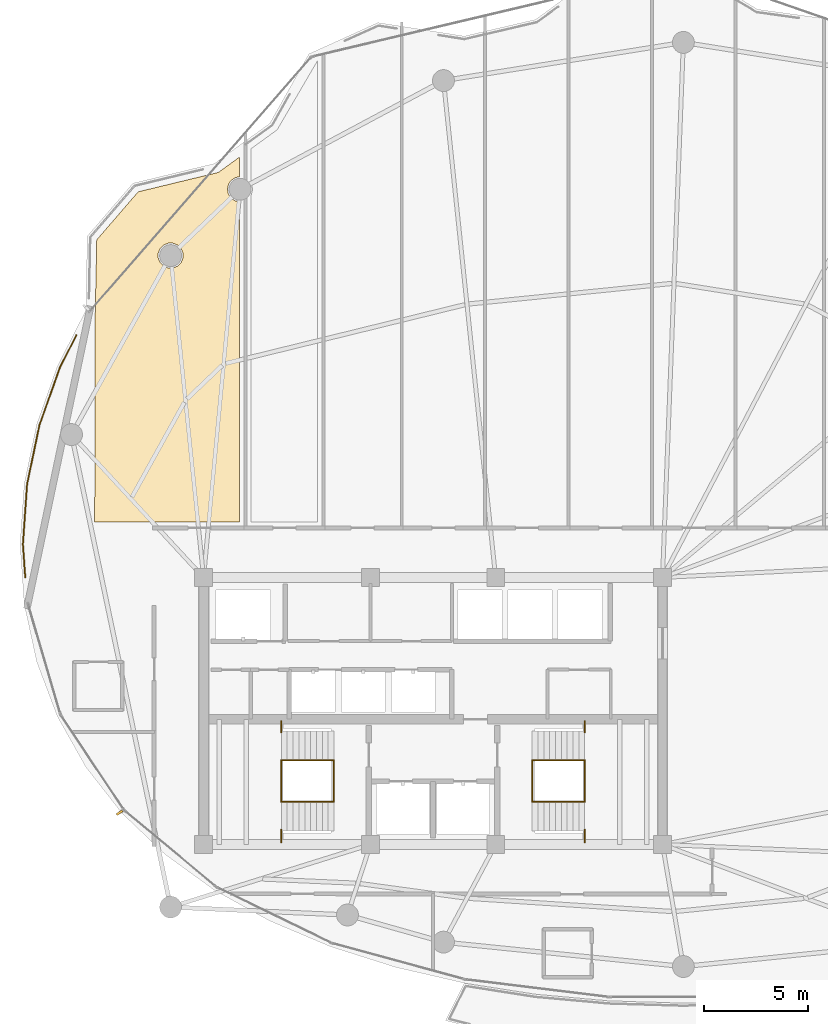
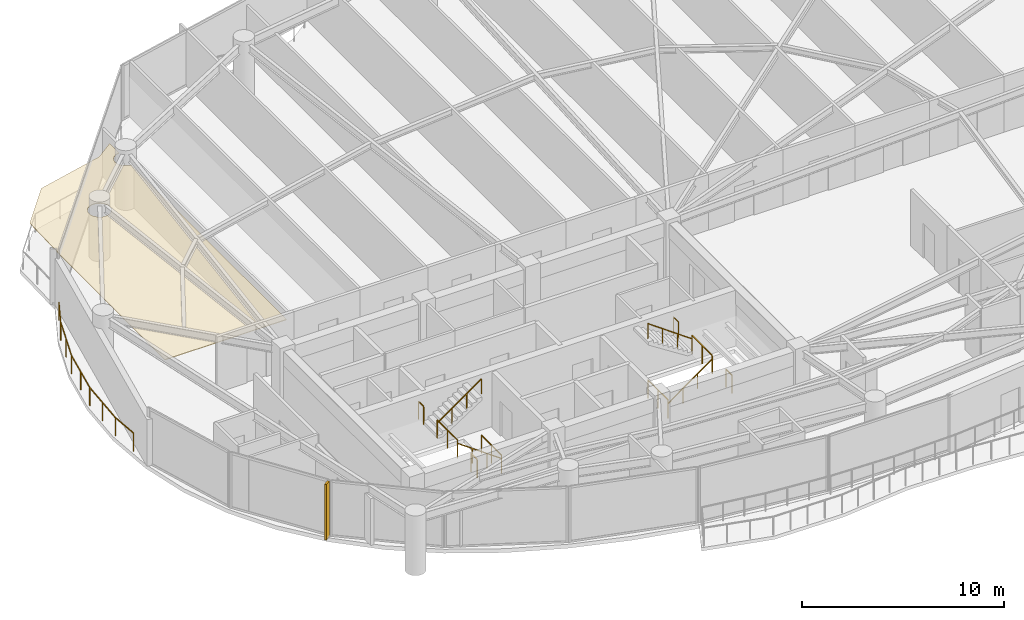
# One storey, part 27 of 29: 13 railings, 1 covering, 1 shading device.
"""IFC4 building model written with IfcOpenShell, lengths in metres."""

from ifc_helpers import new_model, si_unit, direction, frame, origin, origin_2d, place, context, subcontext, project, spatial, polyline, rectangle, outline, extrude, material, layer, layer_set, type_object, element, save


model = new_model("IFC4")

# Units and contexts
model_context = context("Model", 3, precision=1e-05, world=origin(), true_north=direction((0.0, 1.0)))
body_context = subcontext(model_context, "Body", "Model", "MODEL_VIEW")
ifc_project = project(units=[si_unit("LENGTHUNIT", "METRE"), si_unit("AREAUNIT", "SQUARE_METRE"), si_unit("VOLUMEUNIT", "CUBIC_METRE"), si_unit("PLANEANGLEUNIT", "RADIAN"), si_unit("MASSUNIT", "GRAM", prefix="KILO")], contexts=[model_context])

# Site, building, storey
site_placement = place(None, origin())
site = spatial("IfcSite", under=ifc_project, at=site_placement, CompositionType="ELEMENT")
building_placement = place(site_placement, origin())
building = spatial("IfcBuilding", under=site, at=building_placement, Name="Kazevale Care Tower and Concert Hall", CompositionType="ELEMENT")
storey_placement = place(building_placement, frame((0.0, 0.0, 195.60009765625)))
storey = spatial("IfcBuildingStorey", under=building, at=storey_placement, Name="L51", CompositionType="ELEMENT", Elevation=195.60009765625)

# Covering
ifc_material_1 = material(Name="Acoustic Plaster and Hinoki Wood", Category="wood")
ifc_layer = layer(ifc_material_1, 0.0400390625)
ifc_layer_set = layer_set([ifc_layer], Name="Acoustic Plaster and Hinoki Wood")
covering_type = type_object("IfcCoveringType", Name="Acoustic Perforated Wood-Gypsum Ceiling", PredefinedType="CEILING", material=ifc_layer_set)
covering_placement = place(storey_placement, frame((0.0, 0.0, 2.7099609375)))
element("IfcCovering", 1, at=covering_placement, inside=storey, type_object=covering_type, Name="clg:L51:1", PredefinedType="CEILING", context=body_context, shape_type="SweptSolid", body=[
    extrude(outline(polyline([(16.806884765625, 49.0791015625), (16.8798828125, 52.589111328125), (18.864990234375, 54.888916015625), (22.7099609375, 55.818115234375), (23.719970703125, 56.550048828125), (23.719970703125, 55.612060546875), (23.51806640625, 55.569091796875), (23.322021484375, 55.43798828125), (23.19091796875, 55.241943359375), (23.14501953125, 55.010009765625), (23.19091796875, 54.778076171875), (23.322021484375, 54.58203125), (23.51806640625, 54.450927734375), (23.719970703125, 54.407958984375), (23.719970703125, 39.054931640625), (16.780029296875, 39.054931640625), (16.806884765625, 49.0791015625)]), holes=[polyline([(21.012939453125, 51.947998046875), (20.923095703125, 52.166015625), (20.756103515625, 52.3330078125), (20.5380859375, 52.423095703125), (20.302001953125, 52.423095703125), (20.083984375, 52.3330078125), (19.9169921875, 52.166015625), (19.826904296875, 51.947998046875), (19.826904296875, 51.7119140625), (19.9169921875, 51.493896484375), (20.083984375, 51.326904296875), (20.302001953125, 51.237060546875), (20.5380859375, 51.237060546875), (20.756103515625, 51.326904296875), (20.923095703125, 51.493896484375), (21.012939453125, 51.7119140625), (21.012939453125, 51.947998046875)])]), origin(), (0.0, 0.0, 1.0), 0.0400390625),
])

# Railings
ifc_material_2 = material(Name="Anodised Bronze Aluminium and Laminated Glass", Category="aluminium")
railing_type_1 = type_object("IfcRailingType", Name="Balcony and Terrace Balustrade 1120", PredefinedType="BALUSTRADE", material=ifc_material_2)
railing_1_placement = place(storey_placement, frame((13.451904296875, 36.39892578125, 0.0)))
element("IfcRailing", 2, at=railing_1_placement, inside=storey, type_object=railing_type_1, Name="rail:L51:perim:1", PredefinedType="BALUSTRADE", context=body_context, shape_type="SweptSolid", body=[
    extrude(rectangle(XDim=0.048095703125, YDim=0.048095703125, at=origin_2d()), frame((0.0, 0.0, 1.09619140625), z_axis=(-0.069668671127, 0.997570186134, 0.0), x_axis=(-0.997570186134, -0.069668671127, 0.0)), (0.0, 0.0, 1.0), 1.60498046875),
    extrude(rectangle(XDim=0.048095703125, YDim=0.048095703125, at=origin_2d()), frame((-0.11181640625, 1.60107421875, 1.09619140625), z_axis=(0.069189590327, 0.997603528758, 0.0), x_axis=(-0.997603528758, 0.069189590327, 0.0)), (0.0, 0.0, 1.0), 2.875732421875),
    extrude(rectangle(XDim=0.048095703125, YDim=0.048095703125, at=origin_2d()), frame((0.087158203125, 4.469970703125, 1.09619140625), z_axis=(0.204816187417, 0.978800454317, 0.0), x_axis=(-0.978800454317, 0.204816187417, 0.0)), (0.0, 0.0, 1.0), 2.895263671875),
    extrude(rectangle(XDim=0.048095703125, YDim=0.048095703125, at=origin_2d()), frame((0.68017578125, 7.303955078125, 1.09619140625), z_axis=(0.334552974602, 0.942376945381, 0.0), x_axis=(-0.942376945381, 0.334552974602, 0.0)), (0.0, 0.0, 1.0), 2.93212890625),
    extrude(rectangle(XDim=0.048095703125, YDim=0.048095703125, at=origin_2d()), frame((1.6611328125, 10.067138671875, 1.09619140625), z_axis=(0.455056261721, 0.890462687971, 0.0), x_axis=(-0.890462687971, 0.455056261721, 0.0)), (0.0, 0.0, 1.0), 1.72705078125),
    extrude(rectangle(XDim=0.0419921875, YDim=0.0419921875, at=origin_2d()), origin(), (0.0, 0.0, 1.0), 1.072021484375),
    extrude(rectangle(XDim=0.0419921875, YDim=0.0419921875, at=origin_2d()), frame((-0.11181640625, 1.60107421875, 0.0)), (0.0, 0.0, 1.0), 1.072021484375),
    extrude(rectangle(XDim=0.0419921875, YDim=0.0419921875, at=origin_2d()), frame((-0.01220703125, 3.03564453125, 0.0)), (0.0, 0.0, 1.0), 1.072021484375),
    extrude(rectangle(XDim=0.0419921875, YDim=0.0419921875, at=origin_2d()), frame((0.087158203125, 4.469970703125, 0.0)), (0.0, 0.0, 1.0), 1.072021484375),
    extrude(rectangle(XDim=0.0419921875, YDim=0.0419921875, at=origin_2d()), frame((0.3837890625, 5.886962890625, 0.0)), (0.0, 0.0, 1.0), 1.072021484375),
    extrude(rectangle(XDim=0.0419921875, YDim=0.0419921875, at=origin_2d()), frame((0.68017578125, 7.303955078125, 0.0)), (0.0, 0.0, 1.0), 1.072021484375),
    extrude(rectangle(XDim=0.0419921875, YDim=0.0419921875, at=origin_2d()), frame((1.170654296875, 8.685546875, 0.0)), (0.0, 0.0, 1.0), 1.072021484375),
    extrude(rectangle(XDim=0.0419921875, YDim=0.0419921875, at=origin_2d()), frame((1.6611328125, 10.067138671875, 0.0)), (0.0, 0.0, 1.0), 1.072021484375),
    extrude(rectangle(XDim=0.0419921875, YDim=0.0419921875, at=origin_2d()), frame((2.447021484375, 11.60498046875, 0.0)), (0.0, 0.0, 1.0), 1.072021484375),
])
ifc_material_3 = material(Name="Stainless Steel 316", Category="steel")
railing_type_2 = type_object("IfcRailingType", Name="Stair Pitch Handrail 920", PredefinedType="HANDRAIL", material=ifc_material_3)
railing_2_placement = place(storey_placement, frame((28.25, 25.64990234375, 0.0)))
element("IfcRailing", 3, at=railing_2_placement, inside=storey, type_object=railing_type_2, Name="stair:L51:ST1:hr1", PredefinedType="HANDRAIL", context=body_context, shape_type="SweptSolid", body=[
    extrude(rectangle(XDim=0.048095703125, YDim=0.048095703125, at=origin_2d()), frame((0.0, 0.0, 0.89599609375), z_axis=(-0.813765431312, 0.0, 0.581193446971), x_axis=(0.0, -1.0, 0.0)), (0.0, 0.0, 1.0), 3.0966796875),
    extrude(rectangle(XDim=0.0419921875, YDim=0.0419921875, at=origin_2d()), origin(), (0.0, 0.0, 1.0), 0.871826171875),
    extrude(rectangle(XDim=0.0419921875, YDim=0.0419921875, at=origin_2d()), frame((-0.840087890625, 0.0, 0.599853515625)), (0.0, 0.0, 1.0), 0.871826171875),
    extrude(rectangle(XDim=0.0419921875, YDim=0.0419921875, at=origin_2d()), frame((-1.679931640625, 0.0, 1.199951171875)), (0.0, 0.0, 1.0), 0.871826171875),
    extrude(rectangle(XDim=0.0419921875, YDim=0.0419921875, at=origin_2d()), frame((-2.52001953125, 0.0, 1.7998046875)), (0.0, 0.0, 1.0), 0.871826171875),
])
railing_3_placement = place(storey_placement, frame((25.72998046875, 27.64990234375, 1.7998046875)))
element("IfcRailing", 4, at=railing_3_placement, inside=storey, type_object=railing_type_2, Name="stair:L51:ST1:hr2", PredefinedType="HANDRAIL", context=body_context, shape_type="SweptSolid", body=[
    extrude(rectangle(XDim=0.048095703125, YDim=0.048095703125, at=origin_2d()), frame((0.0, 0.0, 0.89599609375), z_axis=(0.813728144527, 0.0, 0.581245650998), x_axis=(0.0, 1.0, 0.0)), (0.0, 0.0, 1.0), 3.096923828125),
    extrude(rectangle(XDim=0.0419921875, YDim=0.0419921875, at=origin_2d()), origin(), (0.0, 0.0, 1.0), 0.871826171875),
    extrude(rectangle(XDim=0.0419921875, YDim=0.0419921875, at=origin_2d()), frame((0.840087890625, 0.0, 0.60009765625)), (0.0, 0.0, 1.0), 0.871826171875),
    extrude(rectangle(XDim=0.0419921875, YDim=0.0419921875, at=origin_2d()), frame((1.679931640625, 0.0, 1.199951171875)), (0.0, 0.0, 1.0), 0.871826171875),
    extrude(rectangle(XDim=0.0419921875, YDim=0.0419921875, at=origin_2d()), frame((2.52001953125, 0.0, 1.800048828125)), (0.0, 0.0, 1.0), 0.871826171875),
])
railing_4_placement = place(storey_placement, frame((37.75, 25.64990234375, 0.0)))
element("IfcRailing", 5, at=railing_4_placement, inside=storey, type_object=railing_type_2, Name="stair:L51:ST2:hr1", PredefinedType="HANDRAIL", context=body_context, shape_type="SweptSolid", body=[
    extrude(rectangle(XDim=0.048095703125, YDim=0.048095703125, at=origin_2d()), frame((0.0, 0.0, 0.89599609375), z_axis=(0.813765431312, 0.0, 0.581193446971), x_axis=(0.0, 1.0, 0.0)), (0.0, 0.0, 1.0), 3.0966796875),
    extrude(rectangle(XDim=0.0419921875, YDim=0.0419921875, at=origin_2d()), origin(), (0.0, 0.0, 1.0), 0.871826171875),
    extrude(rectangle(XDim=0.0419921875, YDim=0.0419921875, at=origin_2d()), frame((0.840087890625, 0.0, 0.599853515625)), (0.0, 0.0, 1.0), 0.871826171875),
    extrude(rectangle(XDim=0.0419921875, YDim=0.0419921875, at=origin_2d()), frame((1.679931640625, 0.0, 1.199951171875)), (0.0, 0.0, 1.0), 0.871826171875),
    extrude(rectangle(XDim=0.0419921875, YDim=0.0419921875, at=origin_2d()), frame((2.52001953125, 0.0, 1.7998046875)), (0.0, 0.0, 1.0), 0.871826171875),
])
railing_5_placement = place(storey_placement, frame((40.27001953125, 27.64990234375, 1.7998046875)))
element("IfcRailing", 6, at=railing_5_placement, inside=storey, type_object=railing_type_2, Name="stair:L51:ST2:hr2", PredefinedType="HANDRAIL", context=body_context, shape_type="SweptSolid", body=[
    extrude(rectangle(XDim=0.048095703125, YDim=0.048095703125, at=origin_2d()), frame((0.0, 0.0, 0.89599609375), z_axis=(-0.813728144527, 0.0, 0.581245650998), x_axis=(0.0, -1.0, 0.0)), (0.0, 0.0, 1.0), 3.096923828125),
    extrude(rectangle(XDim=0.0419921875, YDim=0.0419921875, at=origin_2d()), origin(), (0.0, 0.0, 1.0), 0.871826171875),
    extrude(rectangle(XDim=0.0419921875, YDim=0.0419921875, at=origin_2d()), frame((-0.840087890625, 0.0, 0.60009765625)), (0.0, 0.0, 1.0), 0.871826171875),
    extrude(rectangle(XDim=0.0419921875, YDim=0.0419921875, at=origin_2d()), frame((-1.679931640625, 0.0, 1.199951171875)), (0.0, 0.0, 1.0), 0.871826171875),
    extrude(rectangle(XDim=0.0419921875, YDim=0.0419921875, at=origin_2d()), frame((-2.52001953125, 0.0, 1.800048828125)), (0.0, 0.0, 1.0), 0.871826171875),
])
railing_type_3 = type_object("IfcRailingType", Name="Stair Well Guard Balustrade 1120", PredefinedType="BALUSTRADE", material=ifc_material_3)
railing_6_placement = place(storey_placement, frame((25.72998046875, 23.699951171875, 1.7998046875)))
element("IfcRailing", 7, at=railing_6_placement, inside=storey, type_object=railing_type_3, Name="stair:L51:ST1:grd_side1", PredefinedType="BALUSTRADE", context=body_context, shape_type="SweptSolid", body=[
    extrude(rectangle(XDim=0.048095703125, YDim=0.048095703125, at=origin_2d()), frame((0.0, 0.0, 1.09619140625), z_axis=(0.0, 1.0, 0.0), x_axis=(-1.0, 0.0, 0.0)), (0.0, 0.0, 1.0), 0.610107421875),
    extrude(rectangle(XDim=0.0419921875, YDim=0.0419921875, at=origin_2d()), origin(), (0.0, 0.0, 1.0), 1.072021484375),
    extrude(rectangle(XDim=0.0419921875, YDim=0.0419921875, at=origin_2d()), frame((0.0, 0.610107421875, 0.0)), (0.0, 0.0, 1.0), 1.072021484375),
])
railing_7_placement = place(storey_placement, frame((25.72998046875, 28.989990234375, 1.7998046875)))
element("IfcRailing", 8, at=railing_7_placement, inside=storey, type_object=railing_type_3, Name="stair:L51:ST1:grd_side2", PredefinedType="BALUSTRADE", context=body_context, shape_type="SweptSolid", body=[
    extrude(rectangle(XDim=0.048095703125, YDim=0.048095703125, at=origin_2d()), frame((0.0, 0.0, 1.09619140625), z_axis=(0.0, 1.0, 0.0), x_axis=(-1.0, 0.0, 0.0)), (0.0, 0.0, 1.0), 0.510009765625),
    extrude(rectangle(XDim=0.0419921875, YDim=0.0419921875, at=origin_2d()), origin(), (0.0, 0.0, 1.0), 1.072021484375),
    extrude(rectangle(XDim=0.0419921875, YDim=0.0419921875, at=origin_2d()), frame((0.0, 0.510009765625, 0.0)), (0.0, 0.0, 1.0), 1.072021484375),
])
for number, where, name in (
    (9, (25.72998046875, 25.64990234375, 1.7998046875), "stair:L51:ST1:grd_mid"),
    (10, (28.25, 25.64990234375, 0.0), "stair:L51:ST1:grd_flr"),
):
    element("IfcRailing", number, at=place(storey_placement, frame(where)), inside=storey, type_object=railing_type_3, Name=name, PredefinedType="BALUSTRADE", context=body_context, shape_type="SweptSolid", body=[
        extrude(rectangle(XDim=0.048095703125, YDim=0.048095703125, at=origin_2d()), frame((0.0, 0.0, 1.09619140625), z_axis=(0.0, 1.0, 0.0), x_axis=(-1.0, 0.0, 0.0)), (0.0, 0.0, 1.0), 2.0),
        extrude(rectangle(XDim=0.0419921875, YDim=0.0419921875, at=origin_2d()), origin(), (0.0, 0.0, 1.0), 1.072021484375),
        extrude(rectangle(XDim=0.0419921875, YDim=0.0419921875, at=origin_2d()), frame((0.0, 1.0, 0.0)), (0.0, 0.0, 1.0), 1.072021484375),
        extrude(rectangle(XDim=0.0419921875, YDim=0.0419921875, at=origin_2d()), frame((0.0, 2.0, 0.0)), (0.0, 0.0, 1.0), 1.072021484375),
    ])
railing_8_placement = place(storey_placement, frame((40.27001953125, 23.699951171875, 1.7998046875)))
element("IfcRailing", 11, at=railing_8_placement, inside=storey, type_object=railing_type_3, Name="stair:L51:ST2:grd_side1", PredefinedType="BALUSTRADE", context=body_context, shape_type="SweptSolid", body=[
    extrude(rectangle(XDim=0.048095703125, YDim=0.048095703125, at=origin_2d()), frame((0.0, 0.0, 1.09619140625), z_axis=(0.0, 1.0, 0.0), x_axis=(-1.0, 0.0, 0.0)), (0.0, 0.0, 1.0), 0.610107421875),
    extrude(rectangle(XDim=0.0419921875, YDim=0.0419921875, at=origin_2d()), origin(), (0.0, 0.0, 1.0), 1.072021484375),
    extrude(rectangle(XDim=0.0419921875, YDim=0.0419921875, at=origin_2d()), frame((0.0, 0.610107421875, 0.0)), (0.0, 0.0, 1.0), 1.072021484375),
])
railing_9_placement = place(storey_placement, frame((40.27001953125, 28.989990234375, 1.7998046875)))
element("IfcRailing", 12, at=railing_9_placement, inside=storey, type_object=railing_type_3, Name="stair:L51:ST2:grd_side2", PredefinedType="BALUSTRADE", context=body_context, shape_type="SweptSolid", body=[
    extrude(rectangle(XDim=0.048095703125, YDim=0.048095703125, at=origin_2d()), frame((0.0, 0.0, 1.09619140625), z_axis=(0.0, 1.0, 0.0), x_axis=(-1.0, 0.0, 0.0)), (0.0, 0.0, 1.0), 0.510009765625),
    extrude(rectangle(XDim=0.0419921875, YDim=0.0419921875, at=origin_2d()), origin(), (0.0, 0.0, 1.0), 1.072021484375),
    extrude(rectangle(XDim=0.0419921875, YDim=0.0419921875, at=origin_2d()), frame((0.0, 0.510009765625, 0.0)), (0.0, 0.0, 1.0), 1.072021484375),
])
for number, where, name in (
    (13, (40.27001953125, 25.64990234375, 1.7998046875), "stair:L51:ST2:grd_mid"),
    (14, (37.75, 25.64990234375, 0.0), "stair:L51:ST2:grd_flr"),
):
    element("IfcRailing", number, at=place(storey_placement, frame(where)), inside=storey, type_object=railing_type_3, Name=name, PredefinedType="BALUSTRADE", context=body_context, shape_type="SweptSolid", body=[
        extrude(rectangle(XDim=0.048095703125, YDim=0.048095703125, at=origin_2d()), frame((0.0, 0.0, 1.09619140625), z_axis=(0.0, 1.0, 0.0), x_axis=(-1.0, 0.0, 0.0)), (0.0, 0.0, 1.0), 2.0),
        extrude(rectangle(XDim=0.0419921875, YDim=0.0419921875, at=origin_2d()), origin(), (0.0, 0.0, 1.0), 1.072021484375),
        extrude(rectangle(XDim=0.0419921875, YDim=0.0419921875, at=origin_2d()), frame((0.0, 1.0, 0.0)), (0.0, 0.0, 1.0), 1.072021484375),
        extrude(rectangle(XDim=0.0419921875, YDim=0.0419921875, at=origin_2d()), frame((0.0, 2.0, 0.0)), (0.0, 0.0, 1.0), 1.072021484375),
    ])

# Shading device
ifc_material_4 = material(Name="Anodised Bronze Aluminium", Category="aluminium")
shading_device_type = type_object("IfcShadingDeviceType", Name="Waist Anodised Bronze-Stone Fin FIN-02", PredefinedType="USERDEFINED", material=ifc_material_4)
shading_device_placement = place(storey_placement, frame((17.972900390625, 25.121337890625, 0.0), z_axis=(0.0, 0.0, 1.0), x_axis=(-0.832147748683, -0.554553986878, 0.0)))
element("IfcShadingDevice", 15, at=shading_device_placement, inside=storey, type_object=shading_device_type, Name="cw:L51:f11:fin", ObjectType="FIN", PredefinedType="USERDEFINED", context=body_context, shape_type="SweptSolid", body=[
    extrude(rectangle(XDim=0.340087890625, YDim=0.10009765625, at=origin_2d()), origin(), (0.0, 0.0, 1.0), 3.360107421875),
])

save(model, "model.ifc")
